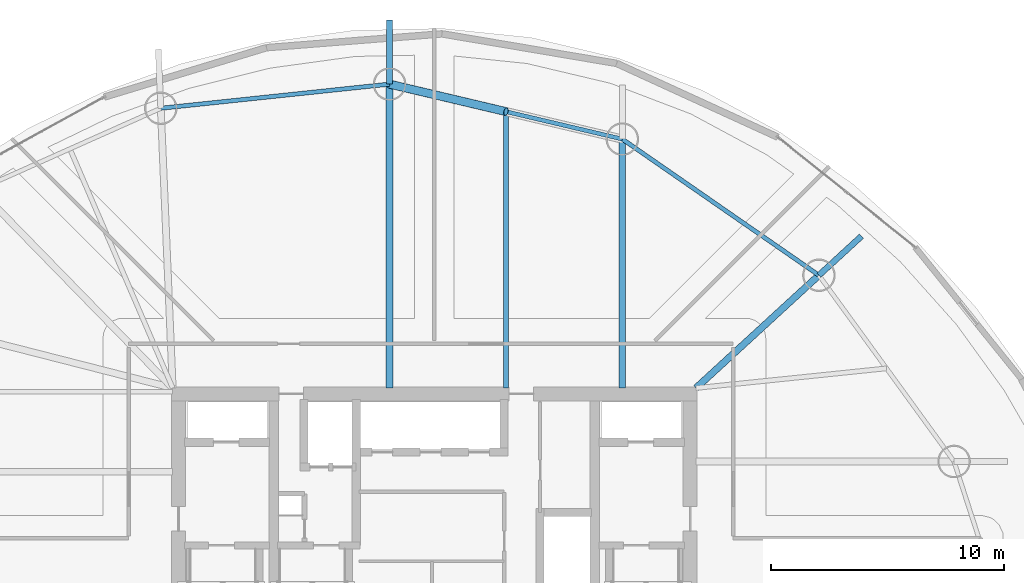
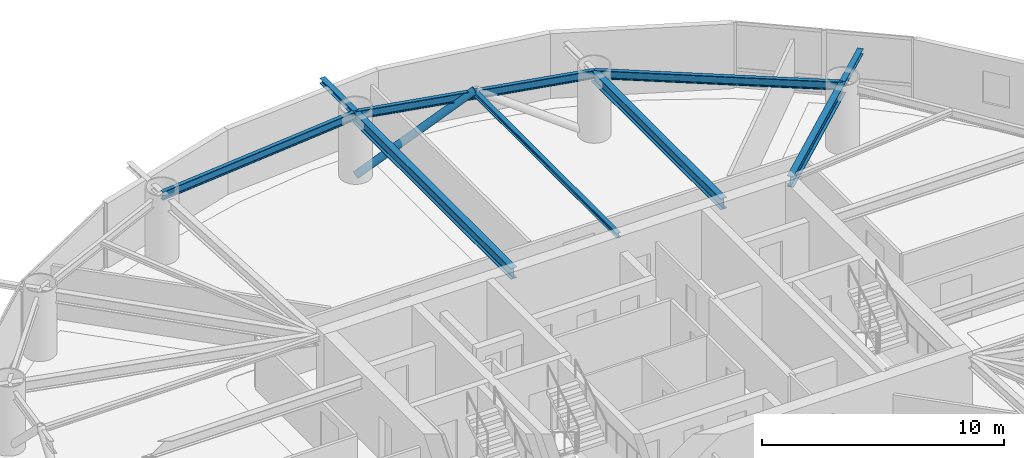
# One storey, part 10 of 21: 9 beams, 1 member.
"""IFC4 building model written with IfcOpenShell, lengths in metres."""

from ifc_helpers import new_model, si_unit, direction, frame, origin, origin_2d, place, context, subcontext, project, spatial, hollow_circle, i_section, extrude, material, material_profile, profile_set, type_object, element, save


model = new_model("IFC4")

# Units and contexts
model_context = context("Model", 3, precision=1e-05, world=origin(), true_north=direction((0.0, 1.0)))
body_context = subcontext(model_context, "Body", "Model", "MODEL_VIEW")
ifc_project = project(units=[si_unit("LENGTHUNIT", "METRE"), si_unit("AREAUNIT", "SQUARE_METRE"), si_unit("VOLUMEUNIT", "CUBIC_METRE"), si_unit("PLANEANGLEUNIT", "RADIAN"), si_unit("MASSUNIT", "GRAM", prefix="KILO")], contexts=[model_context])

# Site, building, storey
site_placement = place(None, origin())
site = spatial("IfcSite", under=ifc_project, at=site_placement, CompositionType="ELEMENT")
building_placement = place(site_placement, origin())
building = spatial("IfcBuilding", under=site, at=building_placement, Name="Bramvorn Convention Spire", CompositionType="ELEMENT")
storey_placement = place(building_placement, frame((0.0, 0.0, 102.800048828125)))
storey = spatial("IfcBuildingStorey", under=building, at=storey_placement, Name="L24", CompositionType="ELEMENT", Elevation=102.800048828125)

# Beams
ifc_material = material(Name="Steel CSA G40.21 Grade 350 (350W)", Category="steel")
ifc_material_profile_1 = material_profile(ifc_material, i_section(OverallWidth=0.201904296875, OverallDepth=0.2470703125, WebThickness=0.00732421875, FlangeThickness=0.010986328125, FilletRadius=0.011962890625, at=origin_2d()))
ifc_profile_set_1 = profile_set([ifc_material_profile_1], Name="Steel CSA G40.21 Grade 350 (350W) - W250X49")
beam_type_1 = type_object("IfcBeamType", Name="BM-W250X49", PredefinedType="JOIST", material=ifc_profile_set_1)
beam_1_placement = place(storey_placement, frame((41.079345703125, 33.449951171875, 3.136474609375), z_axis=(0.0, 1.0, 0.0), x_axis=(-1.0, 0.0, 0.0)))
element("IfcBeam", 1, at=beam_1_placement, inside=storey, type_object=beam_type_1, Name="L24 composite floor joist 05", PredefinedType="JOIST", context=body_context, shape_type="SweptSolid", body=[
    extrude(i_section(OverallWidth=0.201904296875, OverallDepth=0.2470703125, WebThickness=0.00732421875, FlangeThickness=0.010986328125, FilletRadius=0.011962890625, at=origin_2d()), origin(), (0.0, 0.0, 1.0), 11.8857421875),
])
ifc_material_profile_2 = material_profile(ifc_material, i_section(OverallWidth=0.25390625, OverallDepth=0.2529296875, WebThickness=0.008544921875, FlangeThickness=0.01416015625, FilletRadius=0.011962890625, at=origin_2d()))
ifc_profile_set_2 = profile_set([ifc_material_profile_2], Name="Steel CSA G40.21 Grade 350 (350W) - W250X73")
beam_type_2 = type_object("IfcBeamType", Name="BM-W250X73", PredefinedType="BEAM", material=ifc_profile_set_2)
beam_2_placement = place(storey_placement, frame((54.534912109375, 38.299072265625, 3.133544921875), z_axis=(0.736798836523, 0.676112028068, 0.0), x_axis=(-0.676112028068, 0.736798836523, 0.0)))
element("IfcBeam", 2, at=beam_2_placement, inside=storey, type_object=beam_type_2, Name="L24 slab-edge cantilever tip beam MC04", PredefinedType="BEAM", context=body_context, shape_type="SweptSolid", body=[
    extrude(i_section(OverallWidth=0.25390625, OverallDepth=0.2529296875, WebThickness=0.008544921875, FlangeThickness=0.01416015625, FilletRadius=0.011962890625, at=origin_2d()), origin(), (0.0, 0.0, 1.0), 2.482177734375),
])
beam_3_placement = place(storey_placement, frame((36.075927734375, 46.517333984375, 3.133544921875), z_axis=(0.0, 1.0, 0.0), x_axis=(-1.0, 0.0, 0.0)))
element("IfcBeam", 3, at=beam_3_placement, inside=storey, type_object=beam_type_2, Name="L24 slab-edge cantilever tip beam MC06", PredefinedType="BEAM", context=body_context, shape_type="SweptSolid", body=[
    extrude(i_section(OverallWidth=0.25390625, OverallDepth=0.2529296875, WebThickness=0.008544921875, FlangeThickness=0.01416015625, FilletRadius=0.011962890625, at=origin_2d()), origin(), (0.0, 0.0, 1.0), 2.75732421875),
])
ifc_material_profile_3 = material_profile(ifc_material, i_section(OverallWidth=0.180908203125, OverallDepth=0.4169921875, WebThickness=0.010986328125, FlangeThickness=0.018310546875, FilletRadius=0.01611328125, at=origin_2d()))
ifc_profile_set_3 = profile_set([ifc_material_profile_3], Name="Steel CSA G40.21 Grade 350 (350W) - W410X85")
beam_type_3 = type_object("IfcBeamType", Name="BM-W410X85", PredefinedType="JOIST", material=ifc_profile_set_3)
beam_4_placement = place(storey_placement, frame((54.534912109375, 38.299072265625, 3.051513671875), z_axis=(-0.822033166673, 0.569439613032, 0.0), x_axis=(-0.569439613032, -0.822033166673, 0.0)))
element("IfcBeam", 4, at=beam_4_placement, inside=storey, type_object=beam_type_3, Name="L24 mega-column ring beam 04", PredefinedType="JOIST", context=body_context, shape_type="SweptSolid", body=[
    extrude(i_section(OverallWidth=0.180908203125, OverallDepth=0.4169921875, WebThickness=0.010986328125, FlangeThickness=0.018310546875, FilletRadius=0.01611328125, at=origin_2d()), origin(), (0.0, 0.0, 1.0), 10.281982421875),
])
beam_5_placement = place(storey_placement, frame((46.082763671875, 44.154052734375, 3.051513671875), z_axis=(-0.97322750491, 0.229843911572, 0.0), x_axis=(-0.229843911572, -0.97322750491, 0.0)))
element("IfcBeam", 5, at=beam_5_placement, inside=storey, type_object=beam_type_3, Name="L24 mega-column ring beam 05", PredefinedType="JOIST", context=body_context, shape_type="SweptSolid", body=[
    extrude(i_section(OverallWidth=0.180908203125, OverallDepth=0.4169921875, WebThickness=0.010986328125, FlangeThickness=0.018310546875, FilletRadius=0.01611328125, at=origin_2d()), origin(), (0.0, 0.0, 1.0), 10.2822265625),
])
beam_6_placement = place(storey_placement, frame((36.075927734375, 46.517333984375, 3.051513671875), z_axis=(-0.994473491975, -0.104987969596, 0.0), x_axis=(0.104987969596, -0.994473491975, 0.0)))
element("IfcBeam", 6, at=beam_6_placement, inside=storey, type_object=beam_type_3, Name="L24 mega-column ring beam 06", PredefinedType="JOIST", context=body_context, shape_type="SweptSolid", body=[
    extrude(i_section(OverallWidth=0.180908203125, OverallDepth=0.4169921875, WebThickness=0.010986328125, FlangeThickness=0.018310546875, FilletRadius=0.01611328125, at=origin_2d()), origin(), (0.0, 0.0, 1.0), 9.892333984375),
])
ifc_material_profile_4 = material_profile(ifc_material, i_section(OverallWidth=0.2919921875, OverallDepth=0.551025390625, WebThickness=0.01513671875, FlangeThickness=0.0244140625, FilletRadius=0.01904296875, at=origin_2d()))
ifc_profile_set_4 = profile_set([ifc_material_profile_4], Name="Steel CSA G40.21 Grade 350 (350W) - W530X182")
beam_type_4 = type_object("IfcBeamType", Name="BM-W530X182", PredefinedType="BEAM", material=ifc_profile_set_4)
beam_7_placement = place(storey_placement, frame((49.25, 33.449951171875, 2.984375), z_axis=(0.736833323746, 0.676074443399, 0.0), x_axis=(-0.676074443399, 0.736833323746, 0.0)))
element("IfcBeam", 7, at=beam_7_placement, inside=storey, type_object=beam_type_4, Name="L24 radial floor girder MC04", PredefinedType="BEAM", context=body_context, shape_type="SweptSolid", body=[
    extrude(i_section(OverallWidth=0.2919921875, OverallDepth=0.551025390625, WebThickness=0.01513671875, FlangeThickness=0.0244140625, FilletRadius=0.01904296875, at=origin_2d()), origin(), (0.0, 0.0, 1.0), 7.17236328125),
])
beam_8_placement = place(storey_placement, frame((46.082763671875, 33.449951171875, 2.984375), z_axis=(0.0, 1.0, 0.0), x_axis=(-1.0, 0.0, 0.0)))
element("IfcBeam", 8, at=beam_8_placement, inside=storey, type_object=beam_type_4, Name="L24 radial floor girder MC05", PredefinedType="BEAM", context=body_context, shape_type="SweptSolid", body=[
    extrude(i_section(OverallWidth=0.2919921875, OverallDepth=0.551025390625, WebThickness=0.01513671875, FlangeThickness=0.0244140625, FilletRadius=0.01904296875, at=origin_2d()), origin(), (0.0, 0.0, 1.0), 10.7041015625),
])
beam_9_placement = place(storey_placement, frame((36.075927734375, 33.449951171875, 2.984375), z_axis=(0.0, 1.0, 0.0), x_axis=(-1.0, 0.0, 0.0)))
element("IfcBeam", 9, at=beam_9_placement, inside=storey, type_object=beam_type_4, Name="L24 radial floor girder MC06", PredefinedType="BEAM", context=body_context, shape_type="SweptSolid", body=[
    extrude(i_section(OverallWidth=0.2919921875, OverallDepth=0.551025390625, WebThickness=0.01513671875, FlangeThickness=0.0244140625, FilletRadius=0.01904296875, at=origin_2d()), origin(), (0.0, 0.0, 1.0), 13.0673828125),
])

# Member
ifc_material_profile_5 = material_profile(ifc_material, hollow_circle(Radius=0.177734375, WallThickness=0.015869140625, at=origin_2d()))
ifc_profile_set_5 = profile_set([ifc_material_profile_5], Name="Steel CSA G40.21 Grade 350 (350W) - CHS356X16")
member_type = type_object("IfcMemberType", Name="MBR-CHS356X16", PredefinedType="BRACE", material=ifc_profile_set_5)
member_placement = place(storey_placement, frame((36.075927734375, 46.517333984375, 0.0), z_axis=(0.82191146009, -0.194108103193, 0.53552179792), x_axis=(0.229843911572, 0.97322750491, 0.0)))
element("IfcMember", 10, at=member_placement, inside=storey, type_object=member_type, Name="L24 perimeter Gothic lancet brace 5B", PredefinedType="BRACE", context=body_context, shape_type="SweptSolid", body=[
    extrude(hollow_circle(Radius=0.177734375, WallThickness=0.015869140625, at=origin_2d()), origin(), (0.0, 0.0, 1.0), 6.087646484375),
])

save(model, "model.ifc")
